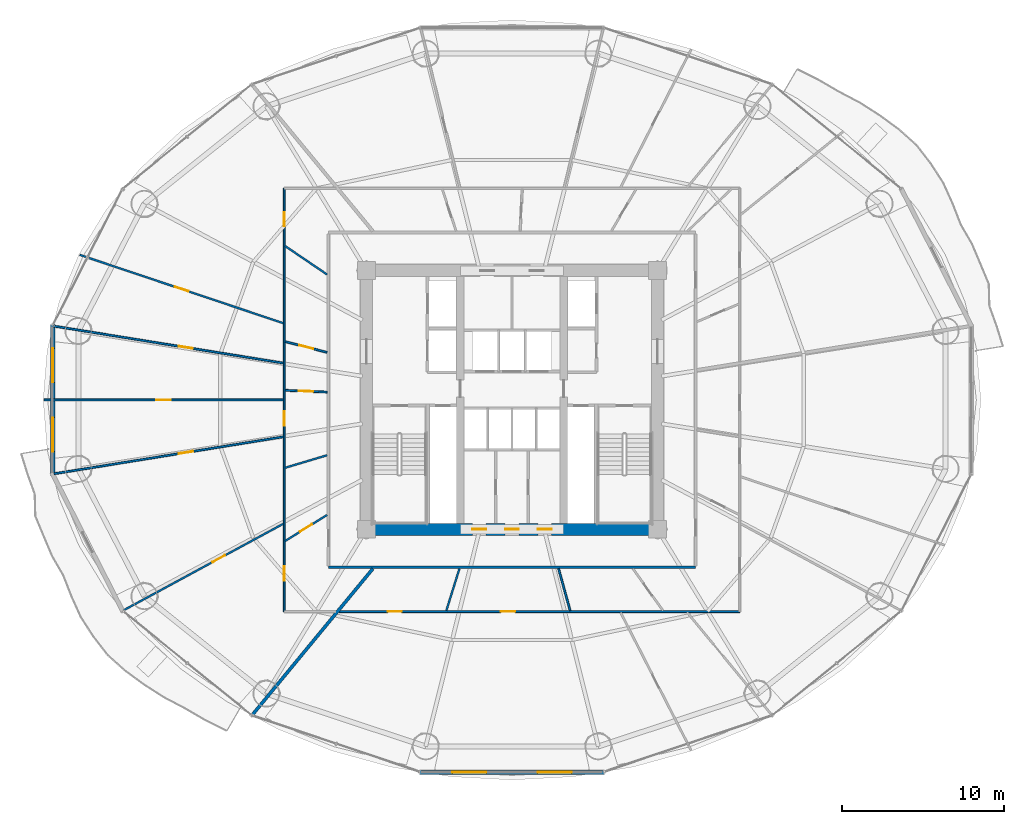
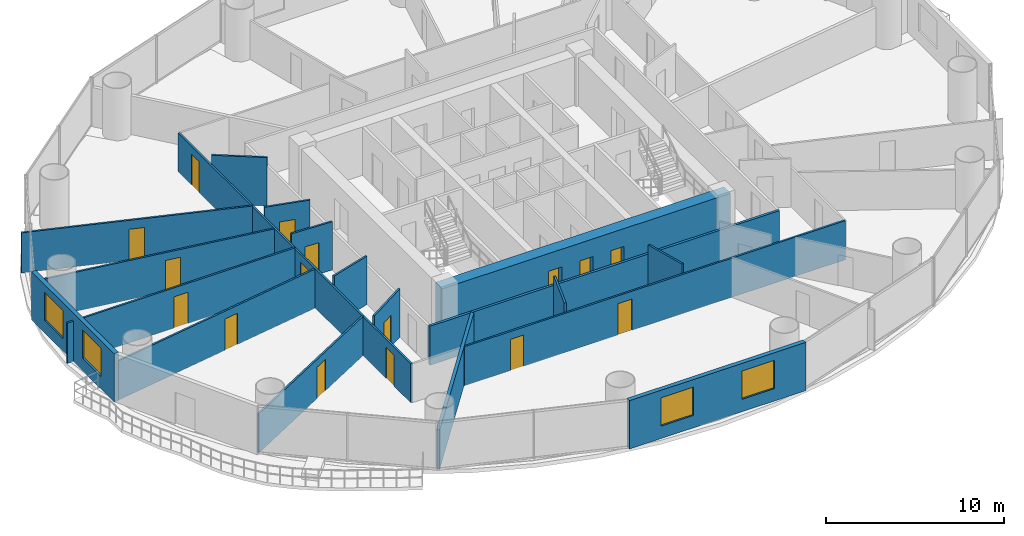
# One storey, part 21 of 28: 19 walls, 16 doors, 4 windows, 20 openings.
"""IFC4 building model written with IfcOpenShell, lengths in metres."""

import ifcopenshell
import ifcopenshell.guid

model = None  # the IFC model being written
_history = None  # IfcOwnerHistory: only IFC2X3 demands one
_inside = {}  # id of a spatial element -> (the spatial element, [elements in it])
_under = {}  # id of a project, library or spatial element -> (it, [spatial elements below it])
_declared = {}  # id of a project -> (the project, [libraries it declares])
_typed = {}  # id of a type object -> (the type object, [elements of that type])
_made_of = {}  # id of a material, layer set ... -> (it, [elements and type objects made of it])


def new_model(schema):
    """Start an empty IFC model of exactly this schema.

    Asked for "IFC4X3", IfcOpenShell would pick the latest addendum, in which some entities
    have other attributes; the version numbers below select the first issue.
    IFC2X3 requires an IfcOwnerHistory on every rooted entity: one is made here for all.
    """
    global model, _history
    if schema == "IFC4X3":
        model = ifcopenshell.file(schema_version=(4, 3, 0, 0))
    else:
        model = ifcopenshell.file(schema=schema)
    _inside.clear()
    _under.clear()
    _declared.clear()
    _typed.clear()
    _made_of.clear()
    _history = None
    if model.schema == "IFC2X3":
        org = make("IfcOrganization", Name="unknown")
        user = make(
            "IfcPersonAndOrganization",
            ThePerson=make("IfcPerson", FamilyName="unknown"),
            TheOrganization=org,
        )
        app = make(
            "IfcApplication",
            ApplicationDeveloper=org,
            Version="unknown",
            ApplicationFullName="unknown",
            ApplicationIdentifier="unknown",
        )
        _history = make(
            "IfcOwnerHistory",
            OwningUser=user,
            OwningApplication=app,
            ChangeAction="ADDED",
            CreationDate=0,
        )
    return model


def make(cls, **values):
    """One entity of the class cls with the attributes given. An attribute that is None is left unset."""
    return model.create_entity(
        cls, **{name: value for name, value in values.items() if value is not None}
    )


def rooted(cls, **values):
    """An entity with a GlobalId (a new one), such as an element, a storey or a relation."""
    return make(cls, GlobalId=ifcopenshell.guid.new(), OwnerHistory=_history, **values)


def si_unit(unit_type, name, prefix=None):
    """IfcSIUnit, for example si_unit("LENGTHUNIT", "METRE", prefix="MILLI")."""
    return make("IfcSIUnit", UnitType=unit_type, Prefix=prefix, Name=name)


def assignment(units):
    """IfcUnitAssignment: the units of a project."""
    return None if units is None else make("IfcUnitAssignment", Units=units)


def point(xyz):
    """IfcCartesianPoint."""
    return None if xyz is None else make("IfcCartesianPoint", Coordinates=xyz)


def direction(xyz):
    """IfcDirection."""
    return None if xyz is None else make("IfcDirection", DirectionRatios=xyz)


def frame(location, z_axis=None, x_axis=None):
    """IfcAxis2Placement3D, a coordinate frame: its origin and axes. An axis left out is left unset."""
    return make(
        "IfcAxis2Placement3D",
        Location=point(location),
        Axis=direction(z_axis),
        RefDirection=direction(x_axis),
    )


def frame_2d(location, x_axis=None):
    """IfcAxis2Placement2D, a coordinate frame in the plane: its origin and x axis."""
    return make(
        "IfcAxis2Placement2D", Location=point(location), RefDirection=direction(x_axis)
    )


def origin():
    """The frame at (0, 0, 0) with its axes left unset."""
    return frame((0.0, 0.0, 0.0))


def place(relative_to, where):
    """IfcLocalPlacement: puts the frame where relative to a parent placement (None: the world)."""
    return make(
        "IfcLocalPlacement", PlacementRelTo=relative_to, RelativePlacement=where
    )


def context(
    kind, dimensions, precision=None, world=None, true_north=None, identifier=None
):
    """IfcGeometricRepresentationContext, for example the 3D "Model" context."""
    return make(
        "IfcGeometricRepresentationContext",
        ContextIdentifier=identifier,
        ContextType=kind,
        CoordinateSpaceDimension=dimensions,
        Precision=precision,
        WorldCoordinateSystem=world,
        TrueNorth=true_north,
    )


def subcontext(parent, identifier, kind, view, scale=None):
    """IfcGeometricRepresentationSubContext, for example "Body" below "Model"."""
    return make(
        "IfcGeometricRepresentationSubContext",
        ContextIdentifier=identifier,
        ContextType=kind,
        ParentContext=parent,
        TargetScale=scale,
        TargetView=view,
    )


def project(units=None, contexts=None):
    """IfcProject with its units and contexts."""
    return rooted(
        "IfcProject",
        Name="project",
        RepresentationContexts=contexts,
        UnitsInContext=assignment(units),
    )


def spatial(cls, under=None, at=None, **own):
    """A site, building, storey or space (cls), placed at a placement, below another one or the project."""
    s = rooted(cls, ObjectPlacement=at, **own)
    if under is not None:
        _under.setdefault(under.id(), (under, []))[1].append(s)
    return s


def profile(cls, at=None, kind="AREA", **sizes):
    """A parametric profile (cls). Its sizes go by their IFC names, for example OverallWidth=200.0."""
    return make(cls, ProfileType=kind, Position=at, **sizes)


def rectangle(**sizes):
    """IfcRectangleProfileDef."""
    return profile("IfcRectangleProfileDef", **sizes)


def extrude(swept, where, along, depth):
    """IfcExtrudedAreaSolid: the profile swept, set in the frame where, extruded along a direction by depth."""
    return make(
        "IfcExtrudedAreaSolid",
        SweptArea=swept,
        Position=where,
        ExtrudedDirection=direction(along),
        Depth=depth,
    )


def shape(context_of_items, identifier, shape_type, items):
    """IfcShapeRepresentation: the items that make up one representation, for example the "Body"."""
    return make(
        "IfcShapeRepresentation",
        ContextOfItems=context_of_items,
        RepresentationIdentifier=identifier,
        RepresentationType=shape_type,
        Items=items,
    )


def source(mapping_origin, context_of_items, identifier, shape_type, items):
    """IfcRepresentationMap: a shape defined once, which mapped items show again and again."""
    return make(
        "IfcRepresentationMap",
        MappingOrigin=mapping_origin,
        MappedRepresentation=shape(context_of_items, identifier, shape_type, items),
    )


def transform(
    local_origin,
    x_axis=None,
    y_axis=None,
    z_axis=None,
    scale=None,
    scale2=None,
    scale3=None,
    uniform=True,
):
    """IfcCartesianTransformationOperator3D, or its non-uniform kind. x_axis, y_axis, z_axis: its Axis1, 2, 3."""
    if uniform:
        return make(
            "IfcCartesianTransformationOperator3D",
            Axis1=direction(x_axis),
            Axis2=direction(y_axis),
            LocalOrigin=point(local_origin),
            Scale=scale,
            Axis3=direction(z_axis),
        )
    return make(
        "IfcCartesianTransformationOperator3DnonUniform",
        Axis1=direction(x_axis),
        Axis2=direction(y_axis),
        LocalOrigin=point(local_origin),
        Scale=scale,
        Axis3=direction(z_axis),
        Scale2=scale2,
        Scale3=scale3,
    )


def mapped(mapping_source, mapping_target):
    """IfcMappedItem: shows the shape of a source again, moved by a transform."""
    return make(
        "IfcMappedItem", MappingSource=mapping_source, MappingTarget=mapping_target
    )


def material(Name=None, Category=None):
    """IfcMaterial."""
    return make("IfcMaterial", Name=Name, Category=Category)


def layer(
    of_material, thickness, ventilated=None, Name=None, Category=None, Priority=None
):
    """IfcMaterialLayer: one layer of a wall or slab, of a material (None: an air gap)."""
    return make(
        "IfcMaterialLayer",
        Material=of_material,
        LayerThickness=thickness,
        IsVentilated=ventilated,
        Name=Name,
        Category=Category,
        Priority=Priority,
    )


def layer_set(layers, Name=None):
    """IfcMaterialLayerSet."""
    return make("IfcMaterialLayerSet", MaterialLayers=layers, LayerSetName=Name)


def made_of(thing, what):
    """Note that an element or type object is made of a material, layer set ...; save() writes the relation."""
    if what is not None:
        _made_of.setdefault(what.id(), (what, []))[1].append(thing)
    return thing


def type_object(cls, material=None, **own):
    """A type object (cls), such as IfcWallType, which elements share."""
    return made_of(rooted(cls, **own), material)


def element(
    cls,
    number,
    at=None,
    inside=None,
    cuts=None,
    type_object=None,
    material=None,
    context=None,
    identifier="Body",
    shape_type=None,
    held_by="IfcProductDefinitionShape",
    body=None,
    shapes=None,
    **own,
):
    """One element of the class cls, such as IfcWall. Its Tag is "e" and its number.

    at: its placement. inside: the storey or other place that contains it. cuts: it is an
    opening in that element (IfcRelVoidsElement). A single representation is given by context,
    identifier, shape_type and body (its items); several are given by shapes. held_by: the class
    of the entity that holds the representations. save() writes the other relations.
    """
    e = rooted(cls, Tag="e%d" % number, ObjectPlacement=at, **own)
    if body is not None:
        shapes = [shape(context, identifier, shape_type, body)]
    if shapes is not None:
        e.Representation = make(held_by, Representations=shapes)
    if inside is not None:
        _inside.setdefault(inside.id(), (inside, []))[1].append(e)
    if cuts is not None:
        rooted(
            "IfcRelVoidsElement", RelatingBuildingElement=cuts, RelatedOpeningElement=e
        )
    if type_object is not None:
        _typed.setdefault(type_object.id(), (type_object, []))[1].append(e)
    return made_of(e, material)


def fill(opening, filler):
    """IfcRelFillsElement: the door or window that sits in an opening."""
    return rooted(
        "IfcRelFillsElement",
        RelatingOpeningElement=opening,
        RelatedBuildingElement=filler,
    )


def aggregate(whole, parts):
    """IfcRelAggregates: a whole, such as a stair, and the parts it consists of."""
    return rooted("IfcRelAggregates", RelatingObject=whole, RelatedObjects=parts)


def save(model, path):
    """Write the relations noted so far, then the file.

    IfcRelAggregates (storeys below a building ...), IfcRelContainedInSpatialStructure (elements
    in a storey), IfcRelDefinesByType, IfcRelAssociatesMaterial and IfcRelDeclares: one each for
    every whole, place, type object, material and project.
    """
    for whole, parts in _under.values():
        aggregate(whole, parts)
    for where, things in _inside.values():
        rooted(
            "IfcRelContainedInSpatialStructure",
            RelatedElements=things,
            RelatingStructure=where,
        )
    for kind, things in _typed.values():
        rooted("IfcRelDefinesByType", RelatedObjects=things, RelatingType=kind)
    for what, things in _made_of.values():
        rooted("IfcRelAssociatesMaterial", RelatedObjects=things, RelatingMaterial=what)
    for by, libraries in _declared.values():
        rooted("IfcRelDeclares", RelatingContext=by, RelatedDefinitions=libraries)
    model.write(path)


model = new_model("IFC4")

# Units and contexts
model_context = context("Model", 3, precision=1e-05, world=origin(), true_north=direction((-0.2419218956, 0.970295726276)))
body_context = subcontext(model_context, "Body", "Model", "MODEL_VIEW")
ifc_project = project(units=[si_unit("LENGTHUNIT", "METRE"), si_unit("AREAUNIT", "SQUARE_METRE"), si_unit("VOLUMEUNIT", "CUBIC_METRE"), si_unit("PLANEANGLEUNIT", "RADIAN"), si_unit("MASSUNIT", "GRAM", prefix="KILO")], contexts=[model_context])

# Site, building, storey
site_placement = place(None, origin())
site = spatial("IfcSite", under=ifc_project, at=site_placement, CompositionType="ELEMENT")
building_placement = place(site_placement, origin())
building = spatial("IfcBuilding", under=site, at=building_placement, Name="Cobrevalo Terracotta Tower", CompositionType="ELEMENT")
storey_placement = place(building_placement, frame((0.0, 0.0, 34.800048828125)))
storey = spatial("IfcBuildingStorey", under=building, at=storey_placement, Name="L08", CompositionType="ELEMENT", Elevation=34.800048828125)

# Wall, openings, doors
ifc_material_1 = material(Name="Concrete C60", Category="concrete")
ifc_layer_1 = layer(ifc_material_1, 0.75)
ifc_layer_set_1 = layer_set([ifc_layer_1], Name="Concrete C60")
wall_type_1 = type_object("IfcWallType", Name="Core shear wall 750 mm Concrete C60", PredefinedType="SHEAR", material=ifc_layer_set_1)
wall_1_placement = place(storey_placement, frame((28.625, 18.800048828125, 0.0), z_axis=(0.0, 0.0, 1.0), x_axis=(1.0, 0.0, 0.0)))
wall_1 = element("IfcWall", 1, at=wall_1_placement, inside=storey, type_object=wall_type_1, Name="L08 south core shear wall", PredefinedType="SHEAR", context=body_context, shape_type="SweptSolid", body=[
    extrude(rectangle(XDim=18.75, YDim=0.75, at=frame_2d((9.375, 0.0))), origin(), (0.0, 0.0, 1.0), 3.320068359375),
])
opening_1_placement = place(wall_1_placement, frame((6.927490234375, 0.0, 0.0)))
opening_1 = element("IfcOpeningElement", 2, at=opening_1_placement, cuts=wall_1, Name="Opening ID-22", PredefinedType="OPENING", context=body_context, shape_type="SweptSolid", body=[
    extrude(rectangle(XDim=0.85009765625, YDim=2.10009765625, at=frame_2d((0.425048828125, 1.050048828125))), frame((0.0, 0.385009765625, 0.0), z_axis=(0.0, -1.0, 0.0), x_axis=(1.0, 0.0, 0.0)), (0.0, 0.0, 1.0), 0.77001953125),
])
opening_2_placement = place(wall_1_placement, frame((8.949951171875, 0.0, 0.0)))
opening_2 = element("IfcOpeningElement", 3, at=opening_2_placement, cuts=wall_1, Name="Opening ID-22", PredefinedType="OPENING", context=body_context, shape_type="SweptSolid", body=[
    extrude(rectangle(XDim=0.85009765625, YDim=2.10009765625, at=frame_2d((0.425048828125, 1.050048828125))), frame((0.0, 0.385009765625, 0.0), z_axis=(0.0, -1.0, 0.0), x_axis=(1.0, 0.0, 0.0)), (0.0, 0.0, 1.0), 0.77001953125),
])
opening_3_placement = place(wall_1_placement, frame((10.972412109375, 0.0, 0.0)))
opening_3 = element("IfcOpeningElement", 4, at=opening_3_placement, cuts=wall_1, Name="Opening ID-22", PredefinedType="OPENING", context=body_context, shape_type="SweptSolid", body=[
    extrude(rectangle(XDim=0.85009765625, YDim=2.10009765625, at=frame_2d((0.425048828125, 1.050048828125))), frame((0.0, 0.385009765625, 0.0), z_axis=(0.0, -1.0, 0.0), x_axis=(1.0, 0.0, 0.0)), (0.0, 0.0, 1.0), 0.77001953125),
])
ifc_material_2 = material(Name="Powder-coated steel", Category="steel")
door_type_1 = type_object("IfcDoorType", Name="Riser shaft & meter closet fire access door 850x2100 EI 60", OperationType="NOTDEFINED", PredefinedType="DOOR", material=ifc_material_2)
shared_shape_1 = source(origin(), body_context, "Body", "SweptSolid", [
    extrude(rectangle(XDim=0.85009765625, YDim=2.10009765625, at=frame_2d((0.425048828125, 1.050048828125))), frame((0.0, 0.02490234375, 0.0), z_axis=(0.0, -1.0, 0.0), x_axis=(1.0, 0.0, 0.0)), (0.0, 0.0, 1.0), 0.050048828125),
])
door_1_placement = place(opening_1_placement, origin())
door_1 = element("IfcDoor", 5, at=door_1_placement, inside=storey, type_object=door_type_1, Name="L08 core south plant door HVAC Supply Air Plant", OperationType="SINGLE_SWING_RIGHT", OverallHeight=2.10009765625, OverallWidth=0.85009765625, PredefinedType="DOOR", context=body_context, shape_type="MappedRepresentation", body=[
    mapped(shared_shape_1, transform((0.0, 0.0, 0.0), scale=1.0)),
])
fill(opening_1, door_1)
door_2_placement = place(opening_2_placement, origin())
door_2 = element("IfcDoor", 6, at=door_2_placement, inside=storey, type_object=door_type_1, Name="L08 core south plant door Refuse Chute Store Room", OperationType="SINGLE_SWING_RIGHT", OverallHeight=2.10009765625, OverallWidth=0.85009765625, PredefinedType="DOOR", context=body_context, shape_type="MappedRepresentation", body=[
    mapped(shared_shape_1, transform((0.0, 0.0, 0.0), scale=1.0)),
])
fill(opening_2, door_2)
door_3_placement = place(opening_3_placement, origin())
door_3 = element("IfcDoor", 7, at=door_3_placement, inside=storey, type_object=door_type_1, Name="L08 core south plant door Hydronic Pump Manifold Plant", OperationType="SINGLE_SWING_RIGHT", OverallHeight=2.10009765625, OverallWidth=0.85009765625, PredefinedType="DOOR", context=body_context, shape_type="MappedRepresentation", body=[
    mapped(shared_shape_1, transform((0.0, 0.0, 0.0), scale=1.0)),
])
fill(opening_3, door_3)

# Walls
ifc_material_3 = material(Name="Gypsum board on steel stud", Category="steel")
ifc_layer_2 = layer(ifc_material_3, 0.159912109375)
ifc_layer_set_2 = layer_set([ifc_layer_2], Name="Gypsum board on steel stud")
wall_type_2 = type_object("IfcWallType", Name="Fire-rated corridor acoustic partition wall 160 mm", PredefinedType="PARTITIONING", material=ifc_layer_set_2)
wall_2_placement = place(storey_placement, frame((26.64501953125, 16.445068359375, 0.0), z_axis=(0.0, 0.0, 1.0), x_axis=(1.0, 0.0, 0.0)))
element("IfcWall", 8, at=wall_2_placement, inside=storey, type_object=wall_type_2, Name="L08 interior partition IW-L08-COR-S", PredefinedType="PARTITIONING", context=body_context, shape_type="SweptSolid", body=[
    extrude(rectangle(XDim=22.7099609375, YDim=0.159912109375, at=frame_2d((11.35498046875, 0.0))), origin(), (0.0, 0.0, 1.0), 2.68798828125),
])
ifc_material_4 = material(Name="Autoclaved aerated concrete block", Category="concrete")
ifc_layer_3 = layer(ifc_material_4, 0.199951171875)
ifc_layer_set_3 = layer_set([ifc_layer_3], Name="Autoclaved aerated concrete block")
wall_type_3 = type_object("IfcWallType", Name="Fire-rated stair, shaft & demising masonry wall 200 mm", PredefinedType="PARTITIONING", material=ifc_layer_set_3)
wall_3_placement = place(storey_placement, frame((29.395751953125, 16.364990234375, 0.0), z_axis=(0.0, 0.0, 1.0), x_axis=(-0.636186165667, -0.771535587393, 0.0)))
element("IfcWall", 9, at=wall_3_placement, inside=storey, type_object=wall_type_3, Name="L08 interior partition IW-L08-DEM-3", PredefinedType="PARTITIONING", context=body_context, shape_type="SweptSolid", body=[
    extrude(rectangle(XDim=11.68310546875, YDim=0.199951171875, at=frame_2d((5.841552734375, 0.0))), origin(), (0.0, 0.0, 1.0), 2.68798828125),
])

# Wall, openings, windows
ifc_layer_4 = layer(ifc_material_4, 0.280029296875)
ifc_layer_set_4 = layer_set([ifc_layer_4], Name="Autoclaved aerated concrete block")
wall_type_4 = type_object("IfcWallType", Name="Insulated tower spandrel & pier wall 280 mm with terracotta rainscreen", PredefinedType="SOLIDWALL", material=ifc_layer_set_4)
wall_4_placement = place(storey_placement, frame((9.586669921875, 31.458740234375, 0.0), z_axis=(0.0, 0.0, 1.0), x_axis=(0.0, -1.0, 0.0)))
wall_4 = element("IfcWall", 10, at=wall_4_placement, inside=storey, type_object=wall_type_4, Name="L08 terracotta rainscreen pier wall S08", PredefinedType="SOLIDWALL", context=body_context, shape_type="SweptSolid", body=[
    extrude(rectangle(XDim=9.317626953125, YDim=0.280029296875, at=frame_2d((4.65869140625, 0.0))), origin(), (0.0, 0.0, 1.0), 3.320068359375),
])
opening_4_placement = place(wall_4_placement, frame((1.4658203125, 0.0, 0.85009765625)))
opening_4 = element("IfcOpeningElement", 11, at=opening_4_placement, cuts=wall_4, Name="Opening WN-10", PredefinedType="OPENING", context=body_context, shape_type="SweptSolid", body=[
    extrude(rectangle(XDim=2.10009765625, YDim=1.949951171875, at=frame_2d((1.050048828125, 0.97509765625))), frame((0.0, 0.14990234375, 0.0), z_axis=(0.0, -1.0, 0.0), x_axis=(1.0, 0.0, 0.0)), (0.0, 0.0, 1.0), 0.300048828125),
])
opening_5_placement = place(wall_4_placement, frame((5.751708984375, 0.0, 0.85009765625)))
opening_5 = element("IfcOpeningElement", 12, at=opening_5_placement, cuts=wall_4, Name="Opening WN-10", PredefinedType="OPENING", context=body_context, shape_type="SweptSolid", body=[
    extrude(rectangle(XDim=2.10009765625, YDim=1.949951171875, at=frame_2d((1.050048828125, 0.97509765625))), frame((0.0, 0.14990234375, 0.0), z_axis=(0.0, -1.0, 0.0), x_axis=(1.0, 0.0, 0.0)), (0.0, 0.0, 1.0), 0.300048828125),
])
ifc_material_5 = material(Name="Solar-control low-E double glazing", Category="glass")
window_type = type_object("IfcWindowType", Name="Wide panoramic low-E aluminium window 2100x1950", PartitioningType="SINGLE_PANEL", PredefinedType="WINDOW", material=ifc_material_5)
shared_shape_2 = source(origin(), body_context, "Body", "SweptSolid", [
    extrude(rectangle(XDim=2.10009765625, YDim=1.949951171875, at=frame_2d((1.050048828125, 0.97509765625))), frame((0.0, 0.030029296875, 0.0), z_axis=(0.0, -1.0, 0.0), x_axis=(1.0, 0.0, 0.0)), (0.0, 0.0, 1.0), 0.06005859375),
])
window_1_placement = place(opening_4_placement, origin())
window_1 = element("IfcWindow", 13, at=window_1_placement, inside=storey, type_object=window_type, Name="L08 suite window S08A", OverallHeight=1.949951171875, OverallWidth=2.10009765625, PartitioningType="SINGLE_PANEL", PredefinedType="WINDOW", context=body_context, shape_type="MappedRepresentation", body=[
    mapped(shared_shape_2, transform((0.0, 0.0, 0.0), scale=1.0)),
])
fill(opening_4, window_1)
window_2_placement = place(opening_5_placement, origin())
window_2 = element("IfcWindow", 14, at=window_2_placement, inside=storey, type_object=window_type, Name="L08 suite window S08B", OverallHeight=1.949951171875, OverallWidth=2.10009765625, PartitioningType="SINGLE_PANEL", PredefinedType="WINDOW", context=body_context, shape_type="MappedRepresentation", body=[
    mapped(shared_shape_2, transform((0.0, 0.0, 0.0), scale=1.0)),
])
fill(opening_5, window_2)

wall_5_placement = place(storey_placement, frame((32.268310546875, 3.781005859375, 0.0), z_axis=(0.0, 0.0, 1.0), x_axis=(1.0, 0.0, 0.0)))
wall_5 = element("IfcWall", 15, at=wall_5_placement, inside=storey, type_object=wall_type_4, Name="L08 terracotta rainscreen pier wall S12", PredefinedType="SOLIDWALL", context=body_context, shape_type="SweptSolid", body=[
    extrude(rectangle(XDim=11.46337890625, YDim=0.280029296875, at=frame_2d((5.731689453125, 0.0))), origin(), (0.0, 0.0, 1.0), 3.320068359375),
])
opening_6_placement = place(wall_5_placement, frame((2.045166015625, 0.0, 0.85009765625)))
opening_6 = element("IfcOpeningElement", 16, at=opening_6_placement, cuts=wall_5, Name="Opening WN-10", PredefinedType="OPENING", context=body_context, shape_type="SweptSolid", body=[
    extrude(rectangle(XDim=2.10009765625, YDim=1.949951171875, at=frame_2d((1.050048828125, 0.97509765625))), frame((0.0, 0.14990234375, 0.0), z_axis=(0.0, -1.0, 0.0), x_axis=(1.0, 0.0, 0.0)), (0.0, 0.0, 1.0), 0.300048828125),
])
opening_7_placement = place(wall_5_placement, frame((7.318359375, 0.0, 0.85009765625)))
opening_7 = element("IfcOpeningElement", 17, at=opening_7_placement, cuts=wall_5, Name="Opening WN-10", PredefinedType="OPENING", context=body_context, shape_type="SweptSolid", body=[
    extrude(rectangle(XDim=2.10009765625, YDim=1.949951171875, at=frame_2d((1.050048828125, 0.97509765625))), frame((0.0, 0.14990234375, 0.0), z_axis=(0.0, -1.0, 0.0), x_axis=(1.0, 0.0, 0.0)), (0.0, 0.0, 1.0), 0.300048828125),
])
window_3_placement = place(opening_6_placement, origin())
window_3 = element("IfcWindow", 18, at=window_3_placement, inside=storey, type_object=window_type, Name="L08 suite window S12A", OverallHeight=1.949951171875, OverallWidth=2.10009765625, PartitioningType="SINGLE_PANEL", PredefinedType="WINDOW", context=body_context, shape_type="MappedRepresentation", body=[
    mapped(shared_shape_2, transform((0.0, 0.0, 0.0), scale=1.0)),
])
fill(opening_6, window_3)
window_4_placement = place(opening_7_placement, origin())
window_4 = element("IfcWindow", 19, at=window_4_placement, inside=storey, type_object=window_type, Name="L08 suite window S12B", OverallHeight=1.949951171875, OverallWidth=2.10009765625, PartitioningType="SINGLE_PANEL", PredefinedType="WINDOW", context=body_context, shape_type="MappedRepresentation", body=[
    mapped(shared_shape_2, transform((0.0, 0.0, 0.0), scale=1.0)),
])
fill(opening_7, window_4)

# Wall, openings, doors
ifc_layer_5 = layer(ifc_material_3, 0.1201171875)
ifc_layer_set_5 = layer_set([ifc_layer_5], Name="Gypsum board on steel stud")
wall_type_5 = type_object("IfcWallType", Name="Residential internal acoustic stud partition 120 mm", PredefinedType="PARTITIONING", material=ifc_layer_set_5)
wall_6_placement = place(storey_placement, frame((23.9150390625, 13.715087890625, 0.0), z_axis=(0.0, 0.0, 1.0), x_axis=(0.0, 1.0, 0.0)))
wall_6 = element("IfcWall", 20, at=wall_6_placement, inside=storey, type_object=wall_type_5, Name="L08 interior partition IW-L08-U2-RING1_0", PredefinedType="PARTITIONING", context=body_context, shape_type="SweptSolid", body=[
    extrude(rectangle(XDim=26.169921875, YDim=0.1201171875, at=frame_2d((13.0849609375, 0.0))), origin(), (0.0, 0.0, 1.0), 2.68798828125),
])
opening_8_placement = place(wall_6_placement, frame((1.894775390625, 0.0, 0.0)))
opening_8 = element("IfcOpeningElement", 21, at=opening_8_placement, cuts=wall_6, Name="Opening ID-12", PredefinedType="OPENING", context=body_context, shape_type="SweptSolid", body=[
    extrude(rectangle(XDim=0.89990234375, YDim=2.14990234375, at=frame_2d((0.449951171875, 1.074951171875))), frame((0.0, 0.070068359375, 0.0), z_axis=(0.0, -1.0, 0.0), x_axis=(1.0, 0.0, 0.0)), (0.0, 0.0, 1.0), 0.14013671875),
])
opening_9_placement = place(wall_6_placement, frame((11.498291015625, 0.0, 0.0)))
opening_9 = element("IfcOpeningElement", 22, at=opening_9_placement, cuts=wall_6, Name="Opening ID-12", PredefinedType="OPENING", context=body_context, shape_type="SweptSolid", body=[
    extrude(rectangle(XDim=0.89990234375, YDim=2.14990234375, at=frame_2d((0.449951171875, 1.074951171875))), frame((0.0, 0.070068359375, 0.0), z_axis=(0.0, -1.0, 0.0), x_axis=(1.0, 0.0, 0.0)), (0.0, 0.0, 1.0), 0.14013671875),
])
opening_10_placement = place(wall_6_placement, frame((23.83056640625, 0.0, 0.0)))
opening_10 = element("IfcOpeningElement", 23, at=opening_10_placement, cuts=wall_6, Name="Opening ID-19", PredefinedType="OPENING", context=body_context, shape_type="SweptSolid", body=[
    extrude(rectangle(XDim=0.860107421875, YDim=2.14990234375, at=frame_2d((0.43017578125, 1.074951171875))), frame((0.0, 0.070068359375, 0.0), z_axis=(0.0, -1.0, 0.0), x_axis=(1.0, 0.0, 0.0)), (0.0, 0.0, 1.0), 0.14013671875),
])
ifc_material_6 = material(Name="Moisture-sealed timber", Category="wood")
door_type_2 = type_object("IfcDoorType", Name="Suite bathroom internal timber door 860x2150", OperationType="NOTDEFINED", PredefinedType="DOOR", material=ifc_material_6)
shared_shape_3 = source(origin(), body_context, "Body", "SweptSolid", [
    extrude(rectangle(XDim=0.860107421875, YDim=2.14990234375, at=frame_2d((0.43017578125, 1.074951171875))), frame((0.0, 0.02490234375, 0.0), z_axis=(0.0, -1.0, 0.0), x_axis=(1.0, 0.0, 0.0)), (0.0, 0.0, 1.0), 0.050048828125),
])
door_4_placement = place(opening_10_placement, frame((0.860107421875, 0.0, 0.0), z_axis=(0.0, 0.0, 1.0), x_axis=(-1.0, 0.0, 0.0)))
door_4 = element("IfcDoor", 24, at=door_4_placement, inside=storey, type_object=door_type_2, Name="Flat L08B Guest Bathroom internal door", OperationType="SINGLE_SWING_RIGHT", OverallHeight=2.14990234375, OverallWidth=0.860107421875, PredefinedType="DOOR", context=body_context, shape_type="MappedRepresentation", body=[
    mapped(shared_shape_3, transform((0.0, 0.0, 0.0), scale=1.0)),
])
fill(opening_10, door_4)
ifc_material_7 = material(Name="Engineered timber", Category="wood")
door_type_3 = type_object("IfcDoorType", Name="Internal residence & suite timber door 900x2150", OperationType="NOTDEFINED", PredefinedType="DOOR", material=ifc_material_7)
shared_shape_4 = source(origin(), body_context, "Body", "SweptSolid", [
    extrude(rectangle(XDim=0.89990234375, YDim=2.14990234375, at=frame_2d((0.449951171875, 1.074951171875))), frame((0.0, 0.02490234375, 0.0), z_axis=(0.0, -1.0, 0.0), x_axis=(1.0, 0.0, 0.0)), (0.0, 0.0, 1.0), 0.050048828125),
])
door_5_placement = place(opening_8_placement, origin())
door_5 = element("IfcDoor", 25, at=door_5_placement, inside=storey, type_object=door_type_3, Name="Flat L08B Penthouse Family Lounge internal door", OperationType="SINGLE_SWING_LEFT", OverallHeight=2.14990234375, OverallWidth=0.89990234375, PredefinedType="DOOR", context=body_context, shape_type="MappedRepresentation", body=[
    mapped(shared_shape_4, transform((0.0, 0.0, 0.0), scale=1.0)),
])
fill(opening_8, door_5)
door_6_placement = place(opening_9_placement, frame((0.89990234375, 0.0, 0.0), z_axis=(0.0, 0.0, 1.0), x_axis=(-1.0, 0.0, 0.0)))
door_6 = element("IfcDoor", 26, at=door_6_placement, inside=storey, type_object=door_type_3, Name="Flat L08B Kitchen internal door", OperationType="SINGLE_SWING_RIGHT", OverallHeight=2.14990234375, OverallWidth=0.89990234375, PredefinedType="DOOR", context=body_context, shape_type="MappedRepresentation", body=[
    mapped(shared_shape_4, transform((0.0, 0.0, 0.0), scale=1.0)),
])
fill(opening_9, door_6)

# Wall, opening, door
wall_7_placement = place(storey_placement, frame((23.856201171875, 31.54736328125, 0.0), z_axis=(0.0, 0.0, 1.0), x_axis=(-0.948017487737, 0.318218231634, 0.0)))
wall_7 = element("IfcWall", 27, at=wall_7_placement, inside=storey, type_object=wall_type_5, Name="L08 interior partition IW-L08-U2-ORAD1", PredefinedType="PARTITIONING", context=body_context, shape_type="SweptSolid", body=[
    extrude(rectangle(XDim=13.27880859375, YDim=0.1201171875, at=frame_2d((6.639404296875, 0.0))), origin(), (0.0, 0.0, 1.0), 2.761962890625),
])
opening_11_placement = place(wall_7_placement, frame((6.189453125, 0.0, 0.0)))
opening_11 = element("IfcOpeningElement", 28, at=opening_11_placement, cuts=wall_7, Name="Opening ID-12", PredefinedType="OPENING", context=body_context, shape_type="SweptSolid", body=[
    extrude(rectangle(XDim=0.89990234375, YDim=2.14990234375, at=frame_2d((0.449951171875, 1.074951171875))), frame((0.0, 0.070068359375, 0.0), z_axis=(0.0, -1.0, 0.0), x_axis=(1.0, 0.0, 0.0)), (0.0, 0.0, 1.0), 0.14013671875),
])
door_7_placement = place(opening_11_placement, frame((0.89990234375, 0.0, 0.0), z_axis=(0.0, 0.0, 1.0), x_axis=(-1.0, 0.0, 0.0)))
door_7 = element("IfcDoor", 29, at=door_7_placement, inside=storey, type_object=door_type_3, Name="Flat L08B Penthouse Living and Dining Room internal door", OperationType="SINGLE_SWING_LEFT", OverallHeight=2.14990234375, OverallWidth=0.89990234375, PredefinedType="DOOR", context=body_context, shape_type="MappedRepresentation", body=[
    mapped(shared_shape_4, transform((0.0, 0.0, 0.0), scale=1.0)),
])
fill(opening_11, door_7)

wall_8_placement = place(storey_placement, frame((23.853759765625, 29.080078125, 0.0), z_axis=(0.0, 0.0, 1.0), x_axis=(-0.987255773689, 0.159141563768, 0.0)))
wall_8 = element("IfcWall", 30, at=wall_8_placement, inside=storey, type_object=wall_type_5, Name="L08 interior partition IW-L08-U2-ORAD2M1", PredefinedType="PARTITIONING", context=body_context, shape_type="SweptSolid", body=[
    extrude(rectangle(XDim=14.359375, YDim=0.1201171875, at=frame_2d((7.1796875, 0.0))), origin(), (0.0, 0.0, 1.0), 2.68798828125),
])
opening_12_placement = place(wall_8_placement, frame((5.65966796875, 0.0, 0.0)))
opening_12 = element("IfcOpeningElement", 31, at=opening_12_placement, cuts=wall_8, Name="Opening ID-12", PredefinedType="OPENING", context=body_context, shape_type="SweptSolid", body=[
    extrude(rectangle(XDim=0.89990234375, YDim=2.14990234375, at=frame_2d((0.449951171875, 1.074951171875))), frame((0.0, 0.070068359375, 0.0), z_axis=(0.0, -1.0, 0.0), x_axis=(1.0, 0.0, 0.0)), (0.0, 0.0, 1.0), 0.14013671875),
])
door_8_placement = place(opening_12_placement, frame((0.89990234375, 0.0, 0.0), z_axis=(0.0, 0.0, 1.0), x_axis=(-1.0, 0.0, 0.0)))
door_8 = element("IfcDoor", 32, at=door_8_placement, inside=storey, type_object=door_type_3, Name="Flat L08B Master Bedroom internal door", OperationType="SINGLE_SWING_RIGHT", OverallHeight=2.14990234375, OverallWidth=0.89990234375, PredefinedType="DOOR", context=body_context, shape_type="MappedRepresentation", body=[
    mapped(shared_shape_4, transform((0.0, 0.0, 0.0), scale=1.0)),
])
fill(opening_12, door_8)

wall_9_placement = place(storey_placement, frame((23.85302734375, 26.800048828125, 0.0), z_axis=(0.0, 0.0, 1.0), x_axis=(-1.0, 0.0, 0.0)))
wall_9 = element("IfcWall", 33, at=wall_9_placement, inside=storey, type_object=wall_type_5, Name="L08 interior partition IW-L08-U2-ORAD2M2", PredefinedType="PARTITIONING", context=body_context, shape_type="SweptSolid", body=[
    extrude(rectangle(XDim=14.79296875, YDim=0.1201171875, at=frame_2d((7.396484375, 0.0))), origin(), (0.0, 0.0, 1.0), 2.761962890625),
])
opening_13_placement = place(wall_9_placement, frame((6.946533203125, 0.0, 0.0)))
opening_13 = element("IfcOpeningElement", 34, at=opening_13_placement, cuts=wall_9, Name="Opening ID-12", PredefinedType="OPENING", context=body_context, shape_type="SweptSolid", body=[
    extrude(rectangle(XDim=0.89990234375, YDim=2.14990234375, at=frame_2d((0.449951171875, 1.074951171875))), frame((0.0, 0.070068359375, 0.0), z_axis=(0.0, -1.0, 0.0), x_axis=(1.0, 0.0, 0.0)), (0.0, 0.0, 1.0), 0.14013671875),
])
door_9_placement = place(opening_13_placement, frame((0.89990234375, 0.0, 0.0), z_axis=(0.0, 0.0, 1.0), x_axis=(-1.0, 0.0, 0.0)))
door_9 = element("IfcDoor", 35, at=door_9_placement, inside=storey, type_object=door_type_3, Name="Flat L08B Principal Guest Bedroom internal door", OperationType="SINGLE_SWING_RIGHT", OverallHeight=2.14990234375, OverallWidth=0.89990234375, PredefinedType="DOOR", context=body_context, shape_type="MappedRepresentation", body=[
    mapped(shared_shape_4, transform((0.0, 0.0, 0.0), scale=1.0)),
])
fill(opening_13, door_9)

wall_10_placement = place(storey_placement, frame((23.853759765625, 24.519775390625, 0.0), z_axis=(0.0, 0.0, 1.0), x_axis=(-0.987258444847, -0.159124991997, 0.0)))
wall_10 = element("IfcWall", 36, at=wall_10_placement, inside=storey, type_object=wall_type_5, Name="L08 interior partition IW-L08-U2-ORAD2", PredefinedType="PARTITIONING", context=body_context, shape_type="SweptSolid", body=[
    extrude(rectangle(XDim=14.359130859375, YDim=0.1201171875, at=frame_2d((7.1796875, 0.0))), origin(), (0.0, 0.0, 1.0), 2.68798828125),
])
opening_14_placement = place(wall_10_placement, frame((5.658935546875, 0.0, 0.0)))
opening_14 = element("IfcOpeningElement", 37, at=opening_14_placement, cuts=wall_10, Name="Opening ID-12", PredefinedType="OPENING", context=body_context, shape_type="SweptSolid", body=[
    extrude(rectangle(XDim=0.89990234375, YDim=2.14990234375, at=frame_2d((0.449951171875, 1.074951171875))), frame((0.0, 0.070068359375, 0.0), z_axis=(0.0, -1.0, 0.0), x_axis=(1.0, 0.0, 0.0)), (0.0, 0.0, 1.0), 0.14013671875),
])
door_10_placement = place(opening_14_placement, frame((0.89990234375, 0.0, 0.0), z_axis=(0.0, 0.0, 1.0), x_axis=(-1.0, 0.0, 0.0)))
door_10 = element("IfcDoor", 38, at=door_10_placement, inside=storey, type_object=door_type_3, Name="Flat L08B Principal Guest Bedroom internal door", OperationType="SINGLE_SWING_LEFT", OverallHeight=2.14990234375, OverallWidth=0.89990234375, PredefinedType="DOOR", context=body_context, shape_type="MappedRepresentation", body=[
    mapped(shared_shape_4, transform((0.0, 0.0, 0.0), scale=1.0)),
])
fill(opening_14, door_10)

wall_11_placement = place(storey_placement, frame((23.860595703125, 19.14404296875, 0.0), z_axis=(0.0, 0.0, 1.0), x_axis=(-0.879372452045, -0.476134529922, 0.0)))
wall_11 = element("IfcWall", 39, at=wall_11_placement, inside=storey, type_object=wall_type_5, Name="L08 interior partition IW-L08-U2-ORAD3", PredefinedType="PARTITIONING", context=body_context, shape_type="SweptSolid", body=[
    extrude(rectangle(XDim=11.219482421875, YDim=0.1201171875, at=frame_2d((5.60986328125, 0.0))), origin(), (0.0, 0.0, 1.0), 2.68798828125),
])
opening_15_placement = place(wall_11_placement, frame((4.0966796875, 0.0, 0.0)))
opening_15 = element("IfcOpeningElement", 40, at=opening_15_placement, cuts=wall_11, Name="Opening ID-12", PredefinedType="OPENING", context=body_context, shape_type="SweptSolid", body=[
    extrude(rectangle(XDim=0.89990234375, YDim=2.14990234375, at=frame_2d((0.449951171875, 1.074951171875))), frame((0.0, 0.070068359375, 0.0), z_axis=(0.0, -1.0, 0.0), x_axis=(1.0, 0.0, 0.0)), (0.0, 0.0, 1.0), 0.14013671875),
])
door_11_placement = place(opening_15_placement, frame((0.89990234375, 0.0, 0.0), z_axis=(0.0, 0.0, 1.0), x_axis=(-1.0, 0.0, 0.0)))
door_11 = element("IfcDoor", 41, at=door_11_placement, inside=storey, type_object=door_type_3, Name="Flat L08B Penthouse Family Lounge internal door", OperationType="SINGLE_SWING_RIGHT", OverallHeight=2.14990234375, OverallWidth=0.89990234375, PredefinedType="DOOR", context=body_context, shape_type="MappedRepresentation", body=[
    mapped(shared_shape_4, transform((0.0, 0.0, 0.0), scale=1.0)),
])
fill(opening_15, door_11)

# Wall
wall_12_placement = place(storey_placement, frame((26.56494140625, 34.55810546875, 0.0), z_axis=(0.0, 0.0, 1.0), x_axis=(-0.827501574847, 0.561463394734, 0.0)))
element("IfcWall", 42, at=wall_12_placement, inside=storey, type_object=wall_type_5, Name="L08 interior partition IW-L08-U2-IRAD1", PredefinedType="PARTITIONING", context=body_context, shape_type="SweptSolid", body=[
    extrude(rectangle(XDim=3.140380859375, YDim=0.1201171875, at=frame_2d((1.5703125, 0.0))), origin(), (0.0, 0.0, 1.0), 3.320068359375),
])

# Wall, opening, door
wall_13_placement = place(storey_placement, frame((26.56494140625, 29.743896484375, 0.0), z_axis=(0.0, 0.0, 1.0), x_axis=(-0.968421803088, 0.249317490972, 0.0)))
wall_13 = element("IfcWall", 43, at=wall_13_placement, inside=storey, type_object=wall_type_5, Name="L08 interior partition IW-L08-U2-IRAD2", PredefinedType="PARTITIONING", context=body_context, shape_type="SweptSolid", body=[
    extrude(rectangle(XDim=2.67431640625, YDim=0.1201171875, at=frame_2d((1.337158203125, 0.0))), origin(), (0.0, 0.0, 1.0), 3.320068359375),
])
opening_16_placement = place(wall_13_placement, frame((0.88720703125, 0.0, 0.0)))
opening_16 = element("IfcOpeningElement", 44, at=opening_16_placement, cuts=wall_13, Name="Opening ID-12", PredefinedType="OPENING", context=body_context, shape_type="SweptSolid", body=[
    extrude(rectangle(XDim=0.89990234375, YDim=2.14990234375, at=frame_2d((0.449951171875, 1.074951171875))), frame((0.0, 0.070068359375, 0.0), z_axis=(0.0, -1.0, 0.0), x_axis=(1.0, 0.0, 0.0)), (0.0, 0.0, 1.0), 0.14013671875),
])
door_12_placement = place(opening_16_placement, frame((0.89990234375, 0.0, 0.0), z_axis=(0.0, 0.0, 1.0), x_axis=(-1.0, 0.0, 0.0)))
door_12 = element("IfcDoor", 45, at=door_12_placement, inside=storey, type_object=door_type_3, Name="Flat L08B Home Office Study internal door", OperationType="SINGLE_SWING_LEFT", OverallHeight=2.14990234375, OverallWidth=0.89990234375, PredefinedType="DOOR", context=body_context, shape_type="MappedRepresentation", body=[
    mapped(shared_shape_4, transform((0.0, 0.0, 0.0), scale=1.0)),
])
fill(opening_16, door_12)

wall_14_placement = place(storey_placement, frame((26.56494140625, 27.28564453125, 0.0), z_axis=(0.0, 0.0, 1.0), x_axis=(-0.999100094808, 0.042414626666, 0.0)))
wall_14 = element("IfcWall", 46, at=wall_14_placement, inside=storey, type_object=wall_type_5, Name="L08 interior partition IW-L08-U2-IRAD3", PredefinedType="PARTITIONING", context=body_context, shape_type="SweptSolid", body=[
    extrude(rectangle(XDim=2.59033203125, YDim=0.1201171875, at=frame_2d((1.295166015625, 0.0))), origin(), (0.0, 0.0, 1.0), 3.320068359375),
])
opening_17_placement = place(wall_14_placement, frame((0.84521484375, 0.0, 0.0)))
opening_17 = element("IfcOpeningElement", 47, at=opening_17_placement, cuts=wall_14, Name="Opening ID-12", PredefinedType="OPENING", context=body_context, shape_type="SweptSolid", body=[
    extrude(rectangle(XDim=0.89990234375, YDim=2.14990234375, at=frame_2d((0.449951171875, 1.074951171875))), frame((0.0, 0.070068359375, 0.0), z_axis=(0.0, -1.0, 0.0), x_axis=(1.0, 0.0, 0.0)), (0.0, 0.0, 1.0), 0.14013671875),
])
door_13_placement = place(opening_17_placement, frame((0.89990234375, 0.0, 0.0), z_axis=(0.0, 0.0, 1.0), x_axis=(-1.0, 0.0, 0.0)))
door_13 = element("IfcDoor", 48, at=door_13_placement, inside=storey, type_object=door_type_3, Name="Flat L08B Utility Closet internal door", OperationType="SINGLE_SWING_LEFT", OverallHeight=2.14990234375, OverallWidth=0.89990234375, PredefinedType="DOOR", context=body_context, shape_type="MappedRepresentation", body=[
    mapped(shared_shape_4, transform((0.0, 0.0, 0.0), scale=1.0)),
])
fill(opening_17, door_13)

# Wall
wall_15_placement = place(storey_placement, frame((26.56494140625, 23.381591796875, 0.0), z_axis=(0.0, 0.0, 1.0), x_axis=(-0.958081868855, -0.286494559408, 0.0)))
element("IfcWall", 49, at=wall_15_placement, inside=storey, type_object=wall_type_5, Name="L08 interior partition IW-L08-U2-IRAD4", PredefinedType="PARTITIONING", context=body_context, shape_type="SweptSolid", body=[
    extrude(rectangle(XDim=2.703857421875, YDim=0.1201171875, at=frame_2d((1.35205078125, 0.0))), origin(), (0.0, 0.0, 1.0), 3.320068359375),
])

# Wall, opening, door
wall_16_placement = place(storey_placement, frame((26.56494140625, 19.689697265625, 0.0), z_axis=(0.0, 0.0, 1.0), x_axis=(-0.849229217796, -0.52802437031, 0.0)))
wall_16 = element("IfcWall", 50, at=wall_16_placement, inside=storey, type_object=wall_type_5, Name="L08 interior partition IW-L08-U2-IRAD5", PredefinedType="PARTITIONING", context=body_context, shape_type="SweptSolid", body=[
    extrude(rectangle(XDim=3.05859375, YDim=0.1201171875, at=frame_2d((1.529296875, 0.0))), origin(), (0.0, 0.0, 1.0), 3.320068359375),
])
opening_18_placement = place(wall_16_placement, frame((1.099365234375, 0.0, 0.0)))
opening_18 = element("IfcOpeningElement", 51, at=opening_18_placement, cuts=wall_16, Name="Opening ID-19", PredefinedType="OPENING", context=body_context, shape_type="SweptSolid", body=[
    extrude(rectangle(XDim=0.860107421875, YDim=2.14990234375, at=frame_2d((0.43017578125, 1.074951171875))), frame((0.0, 0.070068359375, 0.0), z_axis=(0.0, -1.0, 0.0), x_axis=(1.0, 0.0, 0.0)), (0.0, 0.0, 1.0), 0.14013671875),
])
door_14_placement = place(opening_18_placement, frame((0.860107421875, 0.0, 0.0), z_axis=(0.0, 0.0, 1.0), x_axis=(-1.0, 0.0, 0.0)))
door_14 = element("IfcDoor", 52, at=door_14_placement, inside=storey, type_object=door_type_2, Name="Flat L08B Primary Bathroom internal door", OperationType="SINGLE_SWING_RIGHT", OverallHeight=2.14990234375, OverallWidth=0.860107421875, PredefinedType="DOOR", context=body_context, shape_type="MappedRepresentation", body=[
    mapped(shared_shape_3, transform((0.0, 0.0, 0.0), scale=1.0)),
])
fill(opening_18, door_14)

# Wall, openings, doors
wall_17_placement = place(storey_placement, frame((52.0849609375, 13.715087890625, 0.0), z_axis=(0.0, 0.0, 1.0), x_axis=(-1.0, 0.0, 0.0)))
wall_17 = element("IfcWall", 53, at=wall_17_placement, inside=storey, type_object=wall_type_5, Name="L08 interior partition IW-L08-U3-RING1_0", PredefinedType="PARTITIONING", context=body_context, shape_type="SweptSolid", body=[
    extrude(rectangle(XDim=24.7724609375, YDim=0.1201171875, at=frame_2d((12.38623046875, 0.0))), origin(), (0.0, 0.0, 1.0), 2.68798828125),
])
opening_19_placement = place(wall_17_placement, frame((20.912109375, 0.0, 0.0)))
opening_19 = element("IfcOpeningElement", 54, at=opening_19_placement, cuts=wall_17, Name="Opening ID-19", PredefinedType="OPENING", context=body_context, shape_type="SweptSolid", body=[
    extrude(rectangle(XDim=0.860107421875, YDim=2.14990234375, at=frame_2d((0.43017578125, 1.074951171875))), frame((0.0, 0.070068359375, 0.0), z_axis=(0.0, -1.0, 0.0), x_axis=(1.0, 0.0, 0.0)), (0.0, 0.0, 1.0), 0.14013671875),
])
opening_20_placement = place(wall_17_placement, frame((13.86962890625, 0.0, 0.0)))
opening_20 = element("IfcOpeningElement", 55, at=opening_20_placement, cuts=wall_17, Name="Opening ID-12", PredefinedType="OPENING", context=body_context, shape_type="SweptSolid", body=[
    extrude(rectangle(XDim=0.89990234375, YDim=2.14990234375, at=frame_2d((0.449951171875, 1.074951171875))), frame((0.0, 0.070068359375, 0.0), z_axis=(0.0, -1.0, 0.0), x_axis=(1.0, 0.0, 0.0)), (0.0, 0.0, 1.0), 0.14013671875),
])
door_15_placement = place(opening_19_placement, frame((0.860107421875, 0.0, 0.0), z_axis=(0.0, 0.0, 1.0), x_axis=(-1.0, 0.0, 0.0)))
door_15 = element("IfcDoor", 56, at=door_15_placement, inside=storey, type_object=door_type_2, Name="Flat L08C Guest Bathroom internal door", OperationType="SINGLE_SWING_RIGHT", OverallHeight=2.14990234375, OverallWidth=0.860107421875, PredefinedType="DOOR", context=body_context, shape_type="MappedRepresentation", body=[
    mapped(shared_shape_3, transform((0.0, 0.0, 0.0), scale=1.0)),
])
fill(opening_19, door_15)
door_16_placement = place(opening_20_placement, frame((0.89990234375, 0.0, 0.0), z_axis=(0.0, 0.0, 1.0), x_axis=(-1.0, 0.0, 0.0)))
door_16 = element("IfcDoor", 57, at=door_16_placement, inside=storey, type_object=door_type_3, Name="Flat L08C Utility Closet internal door", OperationType="SINGLE_SWING_LEFT", OverallHeight=2.14990234375, OverallWidth=0.89990234375, PredefinedType="DOOR", context=body_context, shape_type="MappedRepresentation", body=[
    mapped(shared_shape_4, transform((0.0, 0.0, 0.0), scale=1.0)),
])
fill(opening_20, door_16)

# Walls
wall_18_placement = place(storey_placement, frame((34.74755859375, 16.364990234375, 0.0), z_axis=(0.0, 0.0, 1.0), x_axis=(-0.297598752493, -0.954691040345, 0.0)))
element("IfcWall", 58, at=wall_18_placement, inside=storey, type_object=wall_type_5, Name="L08 interior partition IW-L08-U3-IRAD1", PredefinedType="PARTITIONING", context=body_context, shape_type="SweptSolid", body=[
    extrude(rectangle(XDim=2.7138671875, YDim=0.1201171875, at=frame_2d((1.35693359375, 0.0))), origin(), (0.0, 0.0, 1.0), 3.320068359375),
])
wall_19_placement = place(storey_placement, frame((40.87841796875, 16.364990234375, 0.0), z_axis=(0.0, 0.0, 1.0), x_axis=(0.265853298244, -0.964013497734, 0.0)))
element("IfcWall", 59, at=wall_19_placement, inside=storey, type_object=wall_type_5, Name="L08 interior partition IW-L08-U3-IRAD2", PredefinedType="PARTITIONING", context=body_context, shape_type="SweptSolid", body=[
    extrude(rectangle(XDim=2.68701171875, YDim=0.1201171875, at=frame_2d((1.343505859375, 0.0))), origin(), (0.0, 0.0, 1.0), 3.320068359375),
])

save(model, "model.ifc")
